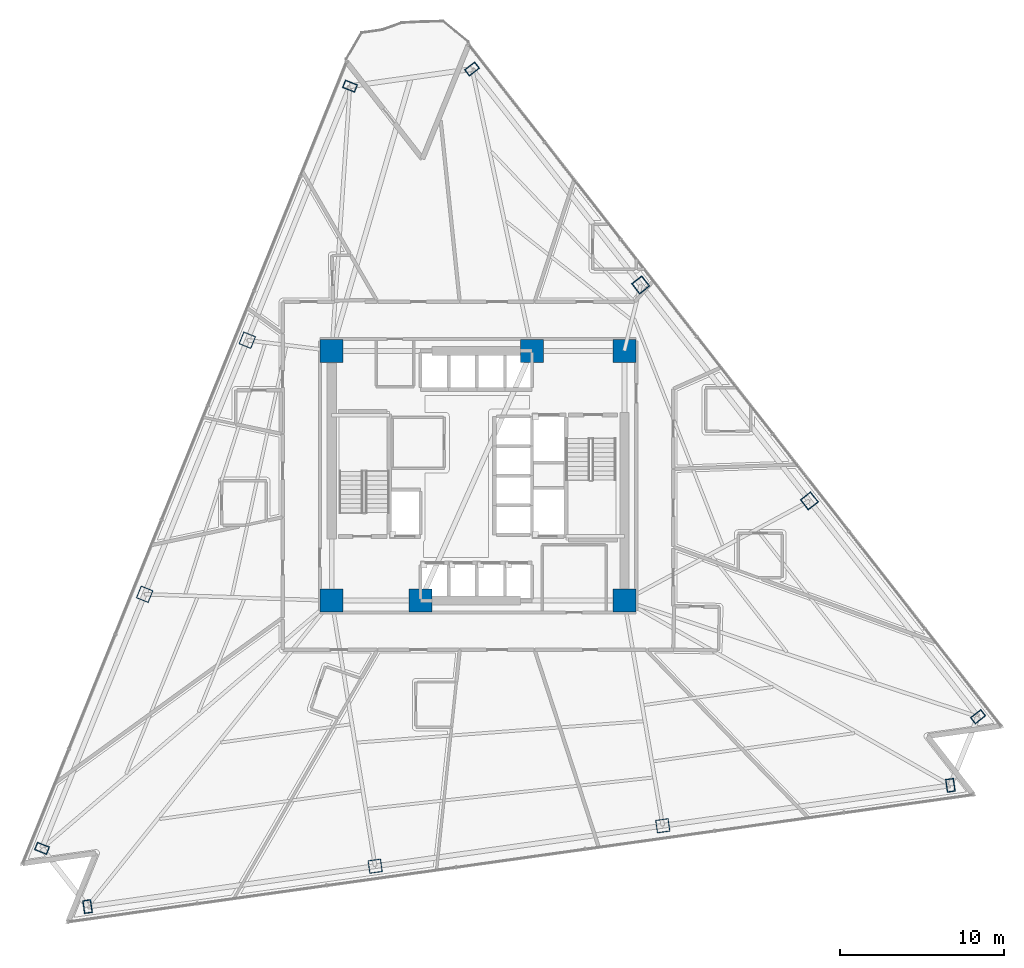
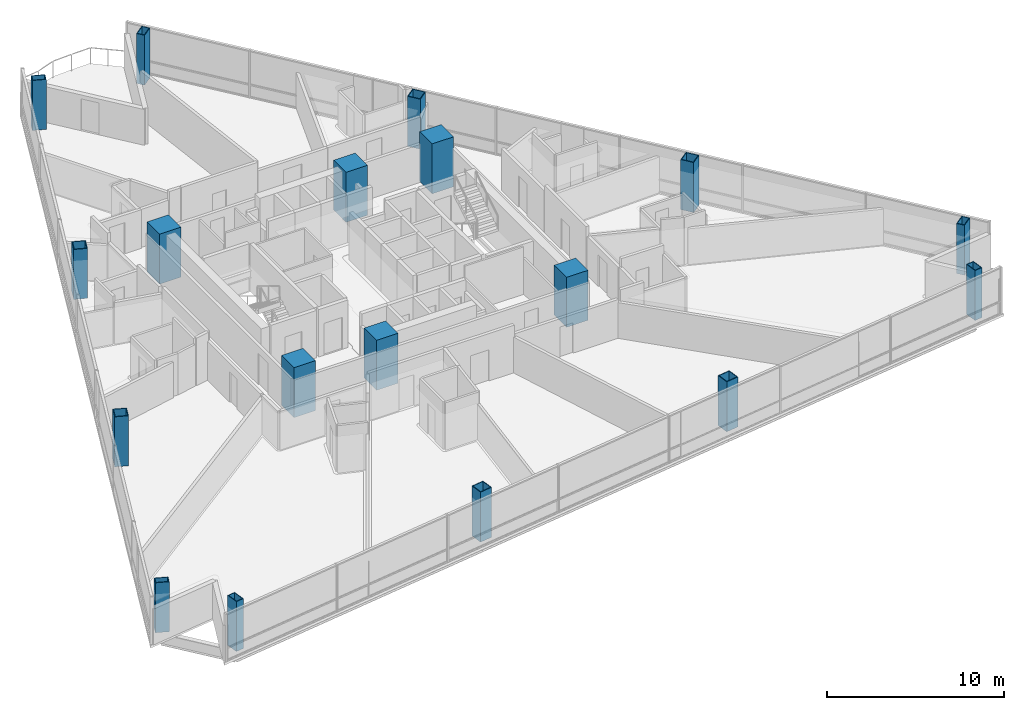
# One storey, part 1 of 15: 18 columns.
"""IFC4 building model written with IfcOpenShell, lengths in metres."""

from ifc_helpers import new_model, si_unit, direction, frame, origin, origin_2d, place, context, subcontext, project, spatial, rectangle, hollow_rectangle, extrude, material, material_profile, profile_set, type_object, element, save


model = new_model("IFC4")

# Units and contexts
model_context = context("Model", 3, precision=1e-05, world=origin(), true_north=direction((0.0, 1.0)))
body_context = subcontext(model_context, "Body", "Model", "MODEL_VIEW")
ifc_project = project(units=[si_unit("LENGTHUNIT", "METRE"), si_unit("AREAUNIT", "SQUARE_METRE"), si_unit("VOLUMEUNIT", "CUBIC_METRE"), si_unit("PLANEANGLEUNIT", "RADIAN"), si_unit("MASSUNIT", "GRAM", prefix="KILO")], contexts=[model_context])

# Site, building, storey
site_placement = place(None, origin())
site = spatial("IfcSite", under=ifc_project, at=site_placement, CompositionType="ELEMENT")
building_placement = place(site_placement, origin())
building = spatial("IfcBuilding", under=site, at=building_placement, Name="Tharavind Bronze Gate", CompositionType="ELEMENT")
storey_placement = place(building_placement, frame((0.0, 0.0, 63.85009765625)))
storey = spatial("IfcBuildingStorey", under=building, at=storey_placement, Name="L15", CompositionType="ELEMENT", Elevation=63.85009765625)

# Columns
ifc_material_1 = material(Name="Steel S460", Category="steel")
ifc_material_profile_1 = material_profile(ifc_material_1, hollow_rectangle(XDim=0.5, YDim=0.800048828125, WallThickness=0.0400390625, at=origin_2d()), Name="RHS800X500X40")
ifc_profile_set_1 = profile_set([ifc_material_profile_1], Name="Steel S460")
column_type_1 = type_object("IfcColumnType", Name="CORNER NOTCH COLUMN RHS800X500", PredefinedType="COLUMN", material=ifc_profile_set_1)
for number, where, z_axis, x_axis, name in (
    (1, (-7.7919921875, 23.69775390625, 0.0), (0.0, 0.0, 1.0), (0.374608211656, 0.927183200754, 0.0), "L15 perimeter column S1C1"),
    (2, (-26.525146484375, -22.66845703125, 0.0), (0.0, 0.0, 1.0), (0.374608211656, 0.927183200754, 0.0), "L15 perimeter column S1C4"),
    (3, (-23.754638671875, -26.21435546875, 0.0), (0.0, 0.0, 1.0), (0.990268068742, 0.13917310096, 0.0), "L15 perimeter column S2C1"),
    (4, (28.737060546875, -18.837158203125, 0.0), (0.0, 0.0, 1.0), (0.990268068742, 0.13917310096, 0.0), "L15 perimeter column S2C4"),
    (5, (30.422607421875, -14.664794921875, 0.0), (0.0, 0.0, 1.0), (-0.615661475326, 0.788010753607, 0.0), "L15 perimeter column S3C1"),
    (6, (-0.364990234375, 24.741455078125, 0.0), (0.0, 0.0, 1.0), (-0.615661475326, 0.788010753607, 0.0), "L15 perimeter column S3C4"),
):
    element("IfcColumn", number, at=place(storey_placement, frame(where, z_axis=z_axis, x_axis=x_axis)), inside=storey, type_object=column_type_1, Name=name, PredefinedType="COLUMN", context=body_context, shape_type="SweptSolid", body=[
        extrude(hollow_rectangle(XDim=0.5, YDim=0.800048828125, WallThickness=0.0400390625, at=origin_2d()), origin(), (0.0, 0.0, 1.0), 3.449951171875),
    ])
ifc_material_2 = material(Name="Concrete C70/85", Category="concrete")
ifc_material_profile_2 = material_profile(ifc_material_2, rectangle(XDim=1.39990234375, YDim=1.39990234375, at=origin_2d()), Name="RCCOL1400")
ifc_profile_set_2 = profile_set([ifc_material_profile_2], Name="Concrete C70/85")
column_type_2 = type_object("IfcColumnType", Name="MEGA CORE COLUMN 1400", PredefinedType="COLUMN", material=ifc_profile_set_2)
for number, where, z_axis, x_axis, name in (
    (7, (-8.89990234375, -7.60009765625, 0.0), (0.0, 0.0, 1.0), (1.0, 0.0, 0.0), "L15 core mega column MC1"),
    (8, (-3.5, -7.60009765625, 0.0), (0.0, 0.0, 1.0), (1.0, 0.0, 0.0), "L15 core mega column MC2"),
    (9, (8.89990234375, -7.60009765625, 0.0), (0.0, 0.0, 1.0), (1.0, 0.0, 0.0), "L15 core mega column MC3"),
    (10, (8.89990234375, 7.60009765625, 0.0), (0.0, 0.0, 1.0), (1.0, 0.0, 0.0), "L15 core mega column MC4"),
    (11, (3.280029296875, 7.60009765625, 0.0), (0.0, 0.0, 1.0), (1.0, 0.0, 0.0), "L15 core mega column MC5"),
    (12, (-8.89990234375, 7.60009765625, 0.0), (0.0, 0.0, 1.0), (1.0, 0.0, 0.0), "L15 core mega column MC6"),
):
    element("IfcColumn", number, at=place(storey_placement, frame(where, z_axis=z_axis, x_axis=x_axis)), inside=storey, type_object=column_type_2, Name=name, PredefinedType="COLUMN", context=body_context, shape_type="SweptSolid", body=[
        extrude(rectangle(XDim=1.39990234375, YDim=1.39990234375, at=origin_2d()), origin(), (0.0, 0.0, 1.0), 3.449951171875),
    ])
ifc_material_profile_3 = material_profile(ifc_material_1, hollow_rectangle(XDim=0.800048828125, YDim=0.800048828125, WallThickness=0.044921875, at=origin_2d()), Name="SHS800X45")
ifc_profile_set_3 = profile_set([ifc_material_profile_3], Name="Steel S460")
column_type_3 = type_object("IfcColumnType", Name="PERIMETER BOX COLUMN SHS800", PredefinedType="COLUMN", material=ifc_profile_set_3)
for number, where, z_axis, x_axis, name in (
    (13, (-14.036376953125, 8.2421875, 0.0), (0.0, 0.0, 1.0), (0.374608211656, 0.927183200754, 0.0), "L15 perimeter column S1C2"),
    (14, (-20.28076171875, -7.212890625, 0.0), (0.0, 0.0, 1.0), (0.374608211656, 0.927183200754, 0.0), "L15 perimeter column S1C3"),
    (15, (-6.25732421875, -23.75537109375, 0.0), (0.0, 0.0, 1.0), (0.990268068742, 0.13917310096, 0.0), "L15 perimeter column S2C2"),
    (16, (11.23974609375, -21.29638671875, 0.0), (0.0, 0.0, 1.0), (0.990268068742, 0.13917310096, 0.0), "L15 perimeter column S2C3"),
    (17, (20.16015625, -1.529296875, 0.0), (0.0, 0.0, 1.0), (-0.615661475326, 0.788010753607, 0.0), "L15 perimeter column S3C2"),
    (18, (9.897705078125, 11.60595703125, 0.0), (0.0, 0.0, 1.0), (-0.615661475326, 0.788010753607, 0.0), "L15 perimeter column S3C3"),
):
    element("IfcColumn", number, at=place(storey_placement, frame(where, z_axis=z_axis, x_axis=x_axis)), inside=storey, type_object=column_type_3, Name=name, PredefinedType="COLUMN", context=body_context, shape_type="SweptSolid", body=[
        extrude(hollow_rectangle(XDim=0.800048828125, YDim=0.800048828125, WallThickness=0.044921875, at=origin_2d()), origin(), (0.0, 0.0, 1.0), 3.449951171875),
    ])

save(model, "model.ifc")
